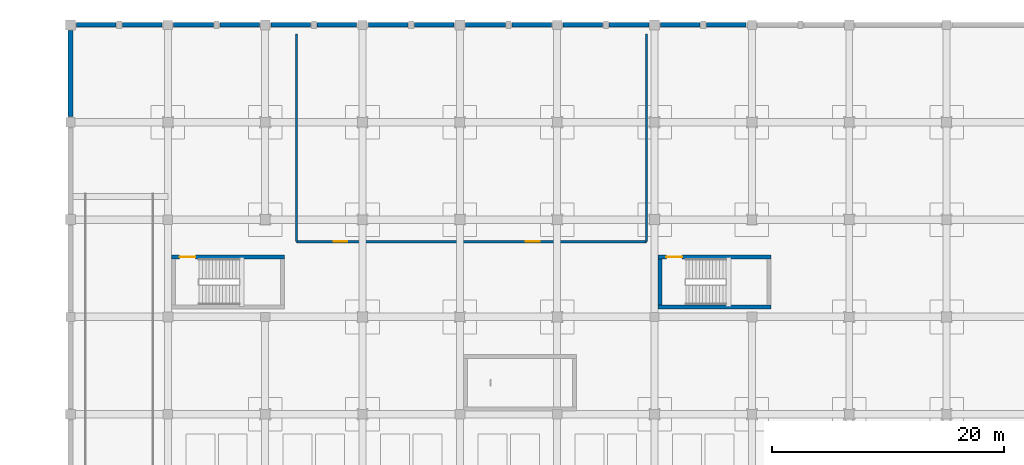
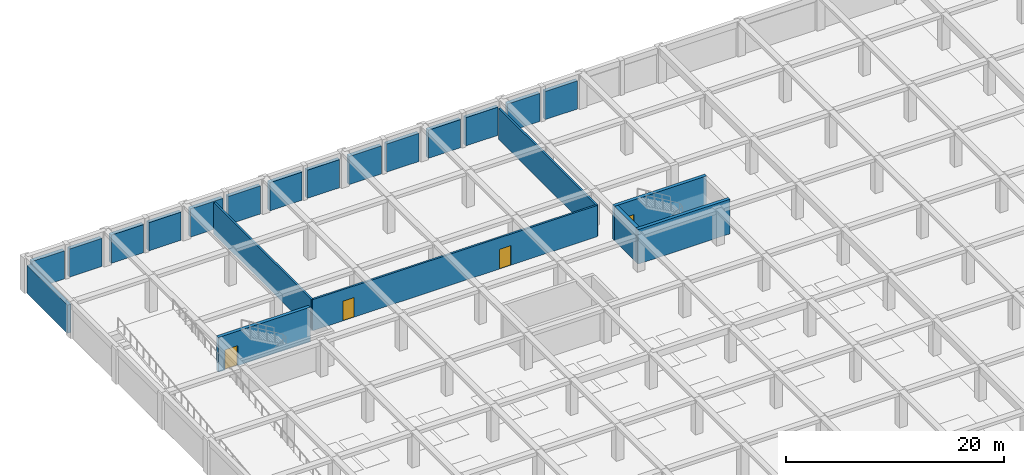
# One storey, part 17 of 32: 22 walls, 4 doors, 4 openings.
"""IFC4 building model written with IfcOpenShell, lengths in metres."""

from ifc_helpers import new_model, si_unit, direction, frame, frame_2d, origin, place, context, subcontext, project, spatial, rectangle, extrude, material, layer, layer_set, type_object, element, fill, save


model = new_model("IFC4")

# Units and contexts
model_context = context("Model", 3, precision=1e-05, world=origin(), true_north=direction((0.0, 1.0)))
body_context = subcontext(model_context, "Body", "Model", "MODEL_VIEW")
ifc_project = project(units=[si_unit("LENGTHUNIT", "METRE"), si_unit("AREAUNIT", "SQUARE_METRE"), si_unit("VOLUMEUNIT", "CUBIC_METRE"), si_unit("PLANEANGLEUNIT", "RADIAN"), si_unit("MASSUNIT", "GRAM", prefix="KILO")], contexts=[model_context])

# Site, building, storey
site_placement = place(None, origin())
site = spatial("IfcSite", under=ifc_project, at=site_placement, CompositionType="ELEMENT")
building_placement = place(site_placement, origin())
building = spatial("IfcBuilding", under=site, at=building_placement, Name="Almacenes y Pasaje Nevantli", CompositionType="ELEMENT")
storey_placement = place(building_placement, frame((0.0, 0.0, -4.199951171875)))
storey = spatial("IfcBuildingStorey", under=building, at=storey_placement, Name="B01", CompositionType="ELEMENT", Elevation=-4.199951171875)

# Wall, openings, doors
ifc_material_1 = material(Name="Fire-Rated Concrete Blockwork", Category="masonry")
ifc_layer_1 = layer(ifc_material_1, 0.199951171875)
ifc_layer_set_1 = layer_set([ifc_layer_1], Name="Fire-Rated Concrete Blockwork")
wall_type_1 = type_object("IfcWallType", Name="WL-COMP-200", PredefinedType="PARTITIONING", material=ifc_layer_set_1)
wall_1_placement = place(storey_placement, frame((19.5, 98.89990234375, 0.0), z_axis=(0.0, 0.0, 1.0), x_axis=(1.0, 0.0, 0.0)))
wall_1 = element("IfcWall", 1, at=wall_1_placement, inside=storey, type_object=wall_type_1, Name="B01 Interior Partition Wall IW-200 #28", PredefinedType="PARTITIONING", context=body_context, shape_type="SweptSolid", body=[
    extrude(rectangle(XDim=30.199951171875, YDim=0.199951171875, at=frame_2d((15.10009765625, 0.0))), origin(), (0.0, 0.0, 1.0), 3.5),
])
opening_1_placement = place(wall_1_placement, frame((3.199951171875, 0.0, 0.0)))
opening_1 = element("IfcOpeningElement", 2, at=opening_1_placement, cuts=wall_1, Name="Opening ID-B01-011", PredefinedType="OPENING", context=body_context, shape_type="SweptSolid", body=[
    extrude(rectangle(XDim=1.199951171875, YDim=2.199951171875, at=frame_2d((0.60009765625, 1.10009765625))), frame((0.0, 0.10986328125, 0.0), z_axis=(0.0, -1.0, 0.0), x_axis=(1.0, 0.0, 0.0)), (0.0, 0.0, 1.0), 0.219970703125),
])
opening_2_placement = place(wall_1_placement, frame((19.800048828125, 0.0, 0.0)))
opening_2 = element("IfcOpeningElement", 3, at=opening_2_placement, cuts=wall_1, Name="Opening ID-B01-012", PredefinedType="OPENING", context=body_context, shape_type="SweptSolid", body=[
    extrude(rectangle(XDim=1.199951171875, YDim=2.199951171875, at=frame_2d((0.60009765625, 1.10009765625))), frame((0.0, 0.10986328125, 0.0), z_axis=(0.0, -1.0, 0.0), x_axis=(1.0, 0.0, 0.0)), (0.0, 0.0, 1.0), 0.219970703125),
])
ifc_material_2 = material(Name="Galvanized Fire-Rated Steel", Category="steel")
door_type_1 = type_object("IfcDoorType", Name="DR-FD60-1200", OperationType="SINGLE_SWING_LEFT", PredefinedType="DOOR", material=ifc_material_2)
door_1_placement = place(opening_1_placement, origin())
door_1 = element("IfcDoor", 4, at=door_1_placement, inside=storey, type_object=door_type_1, Name="B01 Basement Plant Room Door 1", OperationType="SINGLE_SWING_LEFT", OverallHeight=2.199951171875, OverallWidth=1.199951171875, PredefinedType="DOOR", context=body_context, shape_type="SweptSolid", body=[
    extrude(rectangle(XDim=1.199951171875, YDim=2.199951171875, at=frame_2d((0.60009765625, 1.10009765625))), frame((0.0, 0.02490234375, 0.0), z_axis=(0.0, -1.0, 0.0), x_axis=(1.0, 0.0, 0.0)), (0.0, 0.0, 1.0), 0.050048828125),
])
fill(opening_1, door_1)
ifc_material_3 = material(Name="Galvanized Fire-Rated Steel", Category="steel")
door_type_2 = type_object("IfcDoorType", Name="DR-FD60-1200R", OperationType="SINGLE_SWING_RIGHT", PredefinedType="DOOR", material=ifc_material_3)
door_2_placement = place(opening_2_placement, origin())
door_2 = element("IfcDoor", 5, at=door_2_placement, inside=storey, type_object=door_type_2, Name="B01 Basement Plant Room Door 2", OperationType="SINGLE_SWING_RIGHT", OverallHeight=2.199951171875, OverallWidth=1.199951171875, PredefinedType="DOOR", context=body_context, shape_type="SweptSolid", body=[
    extrude(rectangle(XDim=1.199951171875, YDim=2.199951171875, at=frame_2d((0.60009765625, 1.10009765625))), frame((0.0, 0.02490234375, 0.0), z_axis=(0.0, -1.0, 0.0), x_axis=(1.0, 0.0, 0.0)), (0.0, 0.0, 1.0), 0.050048828125),
])
fill(opening_2, door_2)

# Walls
for number, where, z_axis, x_axis, name in (
    (6, (19.5, 98.89990234375, 0.0), (0.0, 0.0, 1.0), (0.0, 1.0, 0.0), "B01 Interior Partition Wall IW-200 #29"),
    (7, (49.699951171875, 98.89990234375, 0.0), (0.0, 0.0, 1.0), (0.0, 1.0, 0.0), "B01 Interior Partition Wall IW-200 #30"),
):
    element("IfcWall", number, at=place(storey_placement, frame(where, z_axis=z_axis, x_axis=x_axis)), inside=storey, type_object=wall_type_1, Name=name, PredefinedType="PARTITIONING", context=body_context, shape_type="SweptSolid", body=[
        extrude(rectangle(XDim=17.900146484375, YDim=0.199951171875, at=frame_2d((8.9501953125, 0.0))), origin(), (0.0, 0.0, 1.0), 3.5),
    ])

# Wall, opening, door
ifc_material_4 = material(Name="Concrete C45/55", Category="concrete")
ifc_layer_2 = layer(ifc_material_4, 0.35009765625)
ifc_layer_set_2 = layer_set([ifc_layer_2], Name="Concrete C45/55")
wall_type_2 = type_object("IfcWallType", Name="WL-CORE-350", PredefinedType="SHEAR", material=ifc_layer_set_2)
wall_2_placement = place(storey_placement, frame((8.699951171875, 97.574951171875, 0.0), z_axis=(0.0, 0.0, 1.0), x_axis=(1.0, 0.0, 0.0)))
wall_2 = element("IfcWall", 8, at=wall_2_placement, inside=storey, type_object=wall_type_2, Name="B01 Exit Stair ST-03 North Core Shear Wall", PredefinedType="SHEAR", context=body_context, shape_type="SweptSolid", body=[
    extrude(rectangle(XDim=9.75, YDim=0.35009765625, at=frame_2d((4.875, 0.0))), origin(), (0.0, 0.0, 1.0), 3.8798828125),
])
opening_3_placement = place(wall_2_placement, frame((0.719970703125, 0.0, 0.0)))
opening_3 = element("IfcOpeningElement", 9, at=opening_3_placement, cuts=wall_2, Name="Opening SD-03-B01", PredefinedType="OPENING", context=body_context, shape_type="SweptSolid", body=[
    extrude(rectangle(XDim=1.35009765625, YDim=2.25, at=frame_2d((0.675048828125, 1.125))), frame((0.0, 0.18505859375, 0.0), z_axis=(0.0, -1.0, 0.0), x_axis=(1.0, 0.0, 0.0)), (0.0, 0.0, 1.0), 0.3701171875),
])
ifc_material_5 = material(Name="Galvanized Fire-Rated Steel", Category="steel")
door_type_3 = type_object("IfcDoorType", Name="DR-STAIR-1350", OperationType="SINGLE_SWING_LEFT", PredefinedType="DOOR", material=ifc_material_5)
door_3_placement = place(opening_3_placement, origin())
door_3 = element("IfcDoor", 10, at=door_3_placement, inside=storey, type_object=door_type_3, Name="B01 Smokeproof Exit Stair ST-03 Fire Door", OperationType="SINGLE_SWING_LEFT", OverallHeight=2.25, OverallWidth=1.35009765625, PredefinedType="DOOR", context=body_context, shape_type="SweptSolid", body=[
    extrude(rectangle(XDim=1.35009765625, YDim=2.25, at=frame_2d((0.675048828125, 1.125))), frame((0.0, 0.02490234375, 0.0), z_axis=(0.0, -1.0, 0.0), x_axis=(1.0, 0.0, 0.0)), (0.0, 0.0, 1.0), 0.050048828125),
])
fill(opening_3, door_3)

# Wall
wall_3_placement = place(storey_placement, frame((50.699951171875, 93.27490234375, 0.0), z_axis=(0.0, 0.0, 1.0), x_axis=(1.0, 0.0, 0.0)))
element("IfcWall", 11, at=wall_3_placement, inside=storey, type_object=wall_type_2, Name="B01 Exit Stair ST-05 South Core Shear Wall", PredefinedType="SHEAR", context=body_context, shape_type="SweptSolid", body=[
    extrude(rectangle(XDim=9.75, YDim=0.35009765625, at=frame_2d((4.875, 0.0))), origin(), (0.0, 0.0, 1.0), 3.8798828125),
])

# Wall, opening, door
wall_4_placement = place(storey_placement, frame((50.699951171875, 97.574951171875, 0.0), z_axis=(0.0, 0.0, 1.0), x_axis=(1.0, 0.0, 0.0)))
wall_4 = element("IfcWall", 12, at=wall_4_placement, inside=storey, type_object=wall_type_2, Name="B01 Exit Stair ST-05 North Core Shear Wall", PredefinedType="SHEAR", context=body_context, shape_type="SweptSolid", body=[
    extrude(rectangle(XDim=9.75, YDim=0.35009765625, at=frame_2d((4.875, 0.0))), origin(), (0.0, 0.0, 1.0), 3.8798828125),
])
opening_4_placement = place(wall_4_placement, frame((0.719970703125, 0.0, 0.0)))
opening_4 = element("IfcOpeningElement", 13, at=opening_4_placement, cuts=wall_4, Name="Opening SD-05-B01", PredefinedType="OPENING", context=body_context, shape_type="SweptSolid", body=[
    extrude(rectangle(XDim=1.35009765625, YDim=2.25, at=frame_2d((0.675048828125, 1.125))), frame((0.0, 0.18505859375, 0.0), z_axis=(0.0, -1.0, 0.0), x_axis=(1.0, 0.0, 0.0)), (0.0, 0.0, 1.0), 0.3701171875),
])
door_4_placement = place(opening_4_placement, origin())
door_4 = element("IfcDoor", 14, at=door_4_placement, inside=storey, type_object=door_type_3, Name="B01 Smokeproof Exit Stair ST-05 Fire Door", OperationType="SINGLE_SWING_LEFT", OverallHeight=2.25, OverallWidth=1.35009765625, PredefinedType="DOOR", context=body_context, shape_type="SweptSolid", body=[
    extrude(rectangle(XDim=1.35009765625, YDim=2.25, at=frame_2d((0.675048828125, 1.125))), frame((0.0, 0.02490234375, 0.0), z_axis=(0.0, -1.0, 0.0), x_axis=(1.0, 0.0, 0.0)), (0.0, 0.0, 1.0), 0.050048828125),
])
fill(opening_4, door_4)

# Walls
wall_5_placement = place(storey_placement, frame((50.875, 93.449951171875, 0.0), z_axis=(0.0, 0.0, 1.0), x_axis=(0.0, 1.0, 0.0)))
element("IfcWall", 15, at=wall_5_placement, inside=storey, type_object=wall_type_2, Name="B01 Exit Stair ST-05 West Core Shear Wall", PredefinedType="SHEAR", context=body_context, shape_type="SweptSolid", body=[
    extrude(rectangle(XDim=3.949951171875, YDim=0.35009765625, at=frame_2d((1.97509765625, 0.0))), origin(), (0.0, 0.0, 1.0), 3.8798828125),
])
ifc_material_6 = material(Name="Concrete C45/55", Category="concrete")
ifc_layer_3 = layer(ifc_material_6, 0.39990234375)
ifc_layer_set_3 = layer_set([ifc_layer_3], Name="Concrete C45/55")
wall_type_3 = type_object("IfcWallType", Name="WL-SHEAR-400", PredefinedType="SHEAR", material=ifc_layer_set_3)
for number, where, z_axis, x_axis, name in (
    (16, (0.5, 117.60009765625, 0.0), (0.0, 0.0, 1.0), (1.0, 0.0, 0.0), "B01 North Basement Retaining Shear Wall #1A"),
    (17, (4.47998046875, 117.60009765625, 0.0), (0.0, 0.0, 1.0), (1.0, 0.0, 0.0), "B01 North Basement Retaining Shear Wall #1B"),
):
    element("IfcWall", number, at=place(storey_placement, frame(where, z_axis=z_axis, x_axis=x_axis)), inside=storey, type_object=wall_type_3, Name=name, PredefinedType="SHEAR", context=body_context, shape_type="SweptSolid", body=[
        extrude(rectangle(XDim=3.419921875, YDim=0.39990234375, at=frame_2d((1.7099609375, 0.0))), origin(), (0.0, 0.0, 1.0), 3.159912109375),
    ])
for number, where, z_axis, x_axis, name in (
    (18, (8.89990234375, 117.60009765625, 0.0), (0.0, 0.0, 1.0), (1.0, 0.0, 0.0), "B01 North Basement Retaining Shear Wall #2A"),
    (19, (12.8798828125, 117.60009765625, 0.0), (0.0, 0.0, 1.0), (1.0, 0.0, 0.0), "B01 North Basement Retaining Shear Wall #2B"),
):
    element("IfcWall", number, at=place(storey_placement, frame(where, z_axis=z_axis, x_axis=x_axis)), inside=storey, type_object=wall_type_3, Name=name, PredefinedType="SHEAR", context=body_context, shape_type="SweptSolid", body=[
        extrude(rectangle(XDim=3.420166015625, YDim=0.39990234375, at=frame_2d((1.7099609375, 0.0))), origin(), (0.0, 0.0, 1.0), 3.159912109375),
    ])
for number, where, z_axis, x_axis, name in (
    (20, (17.300048828125, 117.60009765625, 0.0), (0.0, 0.0, 1.0), (1.0, 0.0, 0.0), "B01 North Basement Retaining Shear Wall #3A"),
    (21, (21.280029296875, 117.60009765625, 0.0), (0.0, 0.0, 1.0), (1.0, 0.0, 0.0), "B01 North Basement Retaining Shear Wall #3B"),
):
    element("IfcWall", number, at=place(storey_placement, frame(where, z_axis=z_axis, x_axis=x_axis)), inside=storey, type_object=wall_type_3, Name=name, PredefinedType="SHEAR", context=body_context, shape_type="SweptSolid", body=[
        extrude(rectangle(XDim=3.419921875, YDim=0.39990234375, at=frame_2d((1.7099609375, 0.0))), origin(), (0.0, 0.0, 1.0), 3.159912109375),
    ])
for number, where, z_axis, x_axis, name in (
    (22, (25.699951171875, 117.60009765625, 0.0), (0.0, 0.0, 1.0), (1.0, 0.0, 0.0), "B01 North Basement Retaining Shear Wall #4A"),
    (23, (29.679931640625, 117.60009765625, 0.0), (0.0, 0.0, 1.0), (1.0, 0.0, 0.0), "B01 North Basement Retaining Shear Wall #4B"),
):
    element("IfcWall", number, at=place(storey_placement, frame(where, z_axis=z_axis, x_axis=x_axis)), inside=storey, type_object=wall_type_3, Name=name, PredefinedType="SHEAR", context=body_context, shape_type="SweptSolid", body=[
        extrude(rectangle(XDim=3.420166015625, YDim=0.39990234375, at=frame_2d((1.7099609375, 0.0))), origin(), (0.0, 0.0, 1.0), 3.159912109375),
    ])
for number, where, z_axis, x_axis, name in (
    (24, (34.10009765625, 117.60009765625, 0.0), (0.0, 0.0, 1.0), (1.0, 0.0, 0.0), "B01 North Basement Retaining Shear Wall #5A"),
    (25, (38.080078125, 117.60009765625, 0.0), (0.0, 0.0, 1.0), (1.0, 0.0, 0.0), "B01 North Basement Retaining Shear Wall #5B"),
    (26, (42.5, 117.60009765625, 0.0), (0.0, 0.0, 1.0), (1.0, 0.0, 0.0), "B01 North Basement Retaining Shear Wall #6A"),
    (27, (46.47998046875, 117.60009765625, 0.0), (0.0, 0.0, 1.0), (1.0, 0.0, 0.0), "B01 North Basement Retaining Shear Wall #6B"),
):
    element("IfcWall", number, at=place(storey_placement, frame(where, z_axis=z_axis, x_axis=x_axis)), inside=storey, type_object=wall_type_3, Name=name, PredefinedType="SHEAR", context=body_context, shape_type="SweptSolid", body=[
        extrude(rectangle(XDim=3.419921875, YDim=0.39990234375, at=frame_2d((1.7099609375, 0.0))), origin(), (0.0, 0.0, 1.0), 3.159912109375),
    ])
for number, where, z_axis, x_axis, name in (
    (28, (50.89990234375, 117.60009765625, 0.0), (0.0, 0.0, 1.0), (1.0, 0.0, 0.0), "B01 North Basement Retaining Shear Wall #7A"),
    (29, (54.8798828125, 117.60009765625, 0.0), (0.0, 0.0, 1.0), (1.0, 0.0, 0.0), "B01 North Basement Retaining Shear Wall #7B"),
):
    element("IfcWall", number, at=place(storey_placement, frame(where, z_axis=z_axis, x_axis=x_axis)), inside=storey, type_object=wall_type_3, Name=name, PredefinedType="SHEAR", context=body_context, shape_type="SweptSolid", body=[
        extrude(rectangle(XDim=3.420166015625, YDim=0.39990234375, at=frame_2d((1.7099609375, 0.0))), origin(), (0.0, 0.0, 1.0), 3.159912109375),
    ])
wall_6_placement = place(storey_placement, frame((0.0, 109.699951171875, 0.0), z_axis=(0.0, 0.0, 1.0), x_axis=(0.0, 1.0, 0.0)))
element("IfcWall", 30, at=wall_6_placement, inside=storey, type_object=wall_type_3, Name="B01 West Basement Retaining Shear Wall #14", PredefinedType="SHEAR", context=body_context, shape_type="SweptSolid", body=[
    extrude(rectangle(XDim=7.400146484375, YDim=0.39990234375, at=frame_2d((3.7001953125, 0.0))), origin(), (0.0, 0.0, 1.0), 3.159912109375),
])

save(model, "model.ifc")
